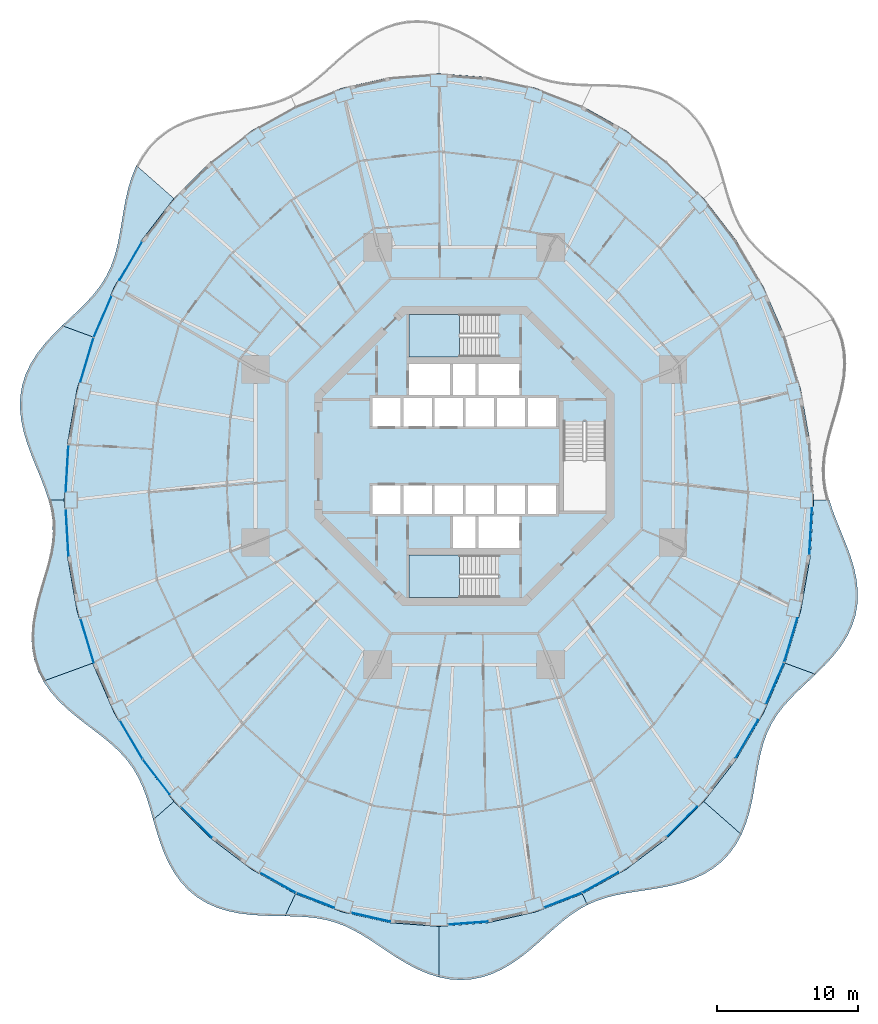
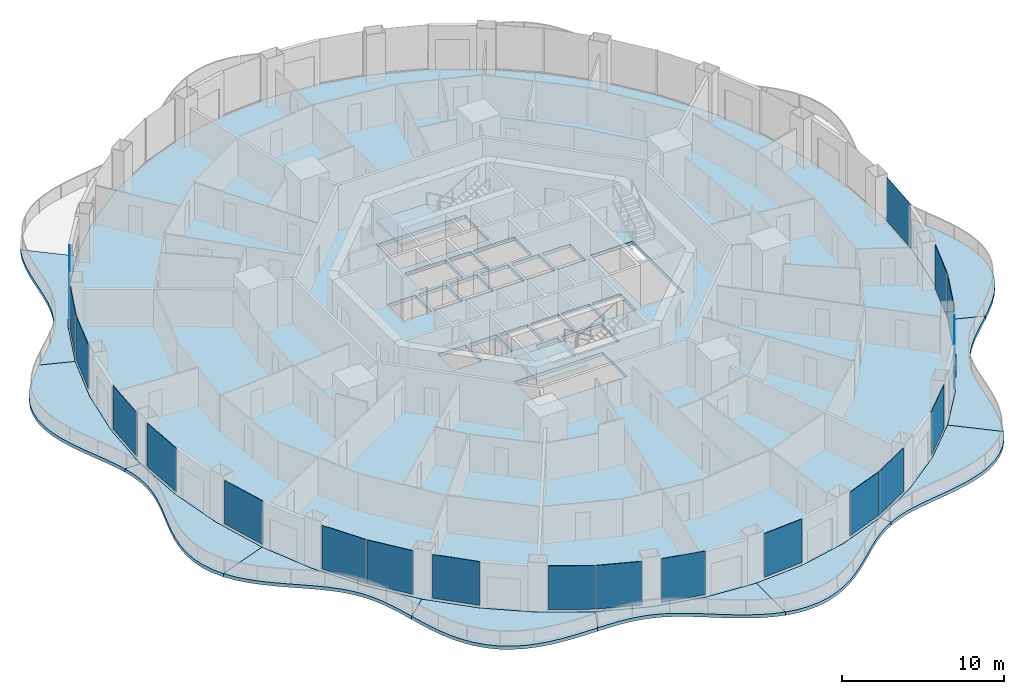
# One storey, part 11 of 21: 20 plates, 13 slabs, 22 elements without a shape of their own.
"""IFC4 building model written with IfcOpenShell, lengths in metres."""

from ifc_helpers import new_model, si_unit, direction, frame, origin, origin_2d, place, context, subcontext, project, spatial, polyline, rectangle, outline, extrude, material, layer, layer_set, type_object, element, aggregate, save


model = new_model("IFC4")

# Units and contexts
model_context = context("Model", 3, precision=1e-05, world=origin(), true_north=direction((0.0, 1.0)))
body_context = subcontext(model_context, "Body", "Model", "MODEL_VIEW")
ifc_project = project(units=[si_unit("LENGTHUNIT", "METRE"), si_unit("AREAUNIT", "SQUARE_METRE"), si_unit("VOLUMEUNIT", "CUBIC_METRE"), si_unit("PLANEANGLEUNIT", "RADIAN"), si_unit("MASSUNIT", "GRAM", prefix="KILO")], contexts=[model_context])

# Site, building, storey
site_placement = place(None, origin())
site = spatial("IfcSite", under=ifc_project, at=site_placement, CompositionType="ELEMENT")
building_placement = place(site_placement, origin())
building = spatial("IfcBuilding", under=site, at=building_placement, Name="Nagisa Residences", CompositionType="ELEMENT")
storey_placement = place(building_placement, frame((0.0, 0.0, 134.39990234375)))
storey = spatial("IfcBuildingStorey", under=building, at=storey_placement, Name="L33", CompositionType="ELEMENT", Elevation=134.39990234375)

# Slabs
ifc_material_1 = material(Name="Concrete C40/50", Category="concrete")
ifc_layer_1 = layer(ifc_material_1, 0.25)
ifc_layer_set_1 = layer_set([ifc_layer_1], Name="BALCONY SLAB 250")
slab_type_1 = type_object("IfcSlabType", Name="BALCONY SLAB 250", PredefinedType="FLOOR", material=ifc_layer_set_1)
slab_1_placement = place(storey_placement, frame((0.0, 0.0, -0.25)))
element("IfcSlab", 1, at=slab_1_placement, inside=storey, type_object=slab_type_1, Name="slab:L33:bal06", PredefinedType="FLOOR", context=body_context, shape_type="SweptSolid", body=[
    extrude(outline(polyline([(-23.2216796875, 20.569580078125), (-23.5400390625, 19.791015625), (-23.789306640625, 18.97412109375), (-23.98291015625, 18.135498046875), (-24.13818359375, 17.291015625), (-24.27490234375, 16.45556640625), (-24.413330078125, 15.64208984375), (-24.57275390625, 14.860107421875), (-24.771484375, 14.115966796875), (-25.02392578125, 13.412841796875), (-25.340087890625, 12.74951171875), (-25.72509765625, 12.121826171875), (-26.178466796875, 11.52294921875), (-26.694091796875, 10.944091796875), (-27.26025390625, 10.375), (-27.861083984375, 9.804931640625), (-28.4765625, 9.22412109375), (-26.315185546875, 8.4375), (-24.780029296875, 11.979736328125), (-22.8515625, 15.263916015625), (-20.56298828125, 18.2333984375), (-23.2216796875, 20.569580078125)])), origin(), (0.0, 0.0, 1.0), 0.25),
])
slab_2_placement = place(storey_placement, frame((0.0, 0.0, -0.25)))
element("IfcSlab", 2, at=slab_2_placement, inside=storey, type_object=slab_type_1, Name="slab:L33:bal07", PredefinedType="FLOOR", context=body_context, shape_type="SweptSolid", body=[
    extrude(outline(polyline([(-28.4765625, 9.22412109375), (-29.10400390625, 8.604248046875), (-29.6982421875, 7.95556640625), (-30.235107421875, 7.2734375), (-30.692626953125, 6.555419921875), (-31.05322265625, 5.802734375), (-31.30419921875, 5.0185546875), (-31.43994140625, 4.208740234375), (-31.460693359375, 3.380126953125), (-31.374755859375, 2.541015625), (-31.19580078125, 1.69921875), (-30.943359375, 0.862060546875), (-30.640625, 0.03564453125), (-30.313232421875, -0.776611328125), (-29.988037109375, -1.572021484375), (-29.690185546875, -2.3515625), (-29.44140625, -3.11767578125), (-28.3349609375, -3.11767578125), (-28.10791015625, 0.823486328125), (-27.430908203125, 4.697265625), (-26.315185546875, 8.4375), (-28.4765625, 9.22412109375)])), origin(), (0.0, 0.0, 1.0), 0.25),
])
slab_3_placement = place(storey_placement, frame((0.0, 0.0, -0.25)))
element("IfcSlab", 3, at=slab_3_placement, inside=storey, type_object=slab_type_1, Name="slab:L33:bal08", PredefinedType="FLOOR", context=body_context, shape_type="SweptSolid", body=[
    extrude(outline(polyline([(-29.44140625, -3.11767578125), (-29.259765625, -3.87451171875), (-29.15673828125, -4.627685546875), (-29.1376953125, -5.383056640625), (-29.20068359375, -6.14697265625), (-29.33740234375, -6.92431640625), (-29.532470703125, -7.718994140625), (-29.76611328125, -8.5322265625), (-30.0146484375, -9.364013671875), (-30.252197265625, -10.210693359375), (-30.45263671875, -11.0673828125), (-30.591796875, -11.92626953125), (-30.648193359375, -12.779052734375), (-30.605712890625, -13.615966796875), (-30.45361328125, -14.42822265625), (-30.188232421875, -15.206787109375), (-29.81201171875, -15.94580078125), (-26.315185546875, -14.6728515625), (-27.430908203125, -10.9326171875), (-28.10791015625, -7.058837890625), (-28.3349609375, -3.11767578125), (-29.44140625, -3.11767578125)])), origin(), (0.0, 0.0, 1.0), 0.25),
])
slab_4_placement = place(storey_placement, frame((0.0, 0.0, -0.25)))
element("IfcSlab", 4, at=slab_4_placement, inside=storey, type_object=slab_type_1, Name="slab:L33:bal09", PredefinedType="FLOOR", context=body_context, shape_type="SweptSolid", body=[
    extrude(outline(polyline([(-29.81201171875, -15.94580078125), (-29.3505859375, -16.619873046875), (-28.807373046875, -17.251953125), (-28.2001953125, -17.84375), (-27.54931640625, -18.39990234375), (-26.87744140625, -18.928466796875), (-26.205810546875, -19.438720703125), (-25.555419921875, -19.942626953125), (-24.943603515625, -20.451904296875), (-24.38427734375, -20.979248046875), (-23.88623046875, -21.535400390625), (-23.452880859375, -22.12939453125), (-23.082275390625, -22.767333984375), (-22.767822265625, -23.452392578125), (-22.497314453125, -24.1826171875), (-22.256103515625, -24.953125), (-22.0263671875, -25.754638671875), (-20.56298828125, -24.46875), (-22.8515625, -21.499267578125), (-24.780029296875, -18.215087890625), (-26.315185546875, -14.6728515625), (-29.81201171875, -15.94580078125)])), origin(), (0.0, 0.0, 1.0), 0.25),
])
slab_5_placement = place(storey_placement, frame((0.0, 0.0, -0.25)))
element("IfcSlab", 5, at=slab_5_placement, inside=storey, type_object=slab_type_1, Name="slab:L33:bal10", PredefinedType="FLOOR", context=body_context, shape_type="SweptSolid", body=[
    extrude(outline(polyline([(-22.0263671875, -25.754638671875), (-21.800537109375, -26.535400390625), (-21.552001953125, -27.31884765625), (-21.265380859375, -28.09033203125), (-20.928466796875, -28.83349609375), (-20.53076171875, -29.532958984375), (-20.066162109375, -30.1748046875), (-19.5322265625, -30.74658203125), (-18.9296875, -31.239501953125), (-18.263427734375, -31.6484375), (-17.54150390625, -31.972412109375), (-16.7744140625, -32.21435546875), (-15.97412109375, -32.382080078125), (-15.15380859375, -32.487060546875), (-14.325927734375, -32.5439453125), (-13.5029296875, -32.570068359375), (-12.6943359375, -32.583740234375), (-11.95458984375, -31.01416015625), (-15.0673828125, -29.267333984375), (-17.953369140625, -27.072998046875), (-20.56298828125, -24.46875), (-22.0263671875, -25.754638671875)])), origin(), (0.0, 0.0, 1.0), 0.25),
])
slab_6_placement = place(storey_placement, frame((0.0, 0.0, -0.25)))
element("IfcSlab", 6, at=slab_6_placement, inside=storey, type_object=slab_type_1, Name="slab:L33:bal11", PredefinedType="FLOOR", context=body_context, shape_type="SweptSolid", body=[
    extrude(outline(polyline([(-12.6943359375, -32.583740234375), (-11.93603515625, -32.602783203125), (-11.20263671875, -32.6435546875), (-10.496337890625, -32.719970703125), (-9.816162109375, -32.84326171875), (-9.1591796875, -33.021240234375), (-8.5205078125, -33.257568359375), (-7.8935546875, -33.552001953125), (-7.271240234375, -33.89892578125), (-6.64599609375, -34.28955078125), (-6.01123046875, -34.710693359375), (-5.36083984375, -35.146728515625), (-4.69091796875, -35.579833984375), (-3.9990234375, -35.990478515625), (-3.284912109375, -36.360107421875), (-2.55078125, -36.670654296875), (-1.800048828125, -36.90625), (-1.800048828125, -33.312744140625), (-5.263427734375, -33.054443359375), (-8.667724609375, -32.283935546875), (-11.95458984375, -31.01416015625), (-12.6943359375, -32.583740234375)])), origin(), (0.0, 0.0, 1.0), 0.25),
])
slab_7_placement = place(storey_placement, frame((0.0, 0.0, -0.25)))
element("IfcSlab", 7, at=slab_7_placement, inside=storey, type_object=slab_type_1, Name="slab:L33:bal12", PredefinedType="FLOOR", context=body_context, shape_type="SweptSolid", body=[
    extrude(outline(polyline([(-1.800048828125, -36.90625), (-1.03857421875, -37.0546875), (-0.27294921875, -37.106689453125), (0.489501953125, -37.05859375), (1.2412109375, -36.91015625), (1.9755859375, -36.66650390625), (2.687255859375, -36.33642578125), (3.37255859375, -35.93310546875), (4.029296875, -35.471923828125), (4.657958984375, -34.97119140625), (5.26171875, -34.44921875), (5.844970703125, -33.924560546875), (6.414306640625, -33.415283203125), (6.977783203125, -32.93603515625), (7.5439453125, -32.499267578125), (8.12109375, -32.11376953125), (8.71728515625, -31.7841796875), (8.3544921875, -31.01416015625), (5.06787109375, -32.283935546875), (1.66357421875, -33.054443359375), (-1.800048828125, -33.312744140625), (-1.800048828125, -36.90625)])), origin(), (0.0, 0.0, 1.0), 0.25),
])
slab_8_placement = place(storey_placement, frame((0.0, 0.0, -0.25)))
element("IfcSlab", 8, at=slab_8_placement, inside=storey, type_object=slab_type_1, Name="slab:L33:bal13", PredefinedType="FLOOR", context=body_context, shape_type="SweptSolid", body=[
    extrude(outline(polyline([(8.71728515625, -31.7841796875), (9.363037109375, -31.50146484375), (10.041259765625, -31.27490234375), (10.754150390625, -31.09619140625), (11.5009765625, -30.95263671875), (12.277587890625, -30.829833984375), (13.076416015625, -30.710205078125), (13.88720703125, -30.5771484375), (14.697998046875, -30.4130859375), (15.494140625, -30.202880859375), (16.261962890625, -29.93359375), (16.98681640625, -29.595947265625), (17.65625, -29.183349609375), (18.260009765625, -28.6943359375), (18.79052734375, -28.13037109375), (19.244384765625, -27.497802734375), (19.62158203125, -26.80517578125), (16.963134765625, -24.46875), (14.353515625, -27.072998046875), (11.467529296875, -29.267333984375), (8.3544921875, -31.01416015625), (8.71728515625, -31.7841796875)])), origin(), (0.0, 0.0, 1.0), 0.25),
])
slab_9_placement = place(storey_placement, frame((0.0, 0.0, -0.25)))
element("IfcSlab", 9, at=slab_9_placement, inside=storey, type_object=slab_type_1, Name="slab:L33:bal14", PredefinedType="FLOOR", context=body_context, shape_type="SweptSolid", body=[
    extrude(outline(polyline([(19.62158203125, -26.80517578125), (19.940185546875, -26.0263671875), (20.189208984375, -25.20947265625), (20.3828125, -24.370849609375), (20.538330078125, -23.5263671875), (20.675048828125, -22.69091796875), (20.813232421875, -21.87744140625), (20.972900390625, -21.095458984375), (21.171630859375, -20.3515625), (21.423828125, -19.648193359375), (21.739990234375, -18.98486328125), (22.125, -18.357177734375), (22.578369140625, -17.75830078125), (23.093994140625, -17.179443359375), (23.66015625, -16.6103515625), (24.260986328125, -16.04052734375), (24.876708984375, -15.459716796875), (22.715087890625, -14.6728515625), (21.179931640625, -18.215087890625), (19.251708984375, -21.499267578125), (16.963134765625, -24.46875), (19.62158203125, -26.80517578125)])), origin(), (0.0, 0.0, 1.0), 0.25),
])
slab_10_placement = place(storey_placement, frame((0.0, 0.0, -0.25)))
element("IfcSlab", 10, at=slab_10_placement, inside=storey, type_object=slab_type_1, Name="slab:L33:bal15", PredefinedType="FLOOR", context=body_context, shape_type="SweptSolid", body=[
    extrude(outline(polyline([(24.876708984375, -15.459716796875), (25.50390625, -14.839599609375), (26.09814453125, -14.19091796875), (26.63525390625, -13.5087890625), (27.0927734375, -12.790771484375), (27.453125, -12.0380859375), (27.704345703125, -11.254150390625), (27.83984375, -10.444091796875), (27.86083984375, -9.61572265625), (27.77490234375, -8.7763671875), (27.595947265625, -7.9345703125), (27.34326171875, -7.097412109375), (27.04052734375, -6.27099609375), (26.71337890625, -5.458984375), (26.38818359375, -4.663330078125), (26.090087890625, -3.8837890625), (25.841552734375, -3.11767578125), (24.735107421875, -3.11767578125), (24.508056640625, -7.058837890625), (23.830810546875, -10.9326171875), (22.715087890625, -14.6728515625), (24.876708984375, -15.459716796875)])), origin(), (0.0, 0.0, 1.0), 0.25),
])

# Curtain wall, plate
ifc_material_2 = material(Name="Concrete-coloured aluminium curtain wall system", Category="concrete")
ifc_layer_2 = layer(ifc_material_2, 0.159912109375)
ifc_layer_set_2 = layer_set([ifc_layer_2], Name="CW1 CURTAIN WALL")
curtain_wall_type = type_object("IfcCurtainWallType", Name="CW1 CURTAIN WALL", PredefinedType="NOTDEFINED", material=ifc_layer_set_2)
curtain_wall_1_placement = place(storey_placement, origin())
curtain_wall_1 = element("IfcCurtainWall", 11, at=curtain_wall_1_placement, inside=storey, type_object=curtain_wall_type, Name="cw:CW1:L33:19", PredefinedType="NOTDEFINED")
ifc_material_3 = material(Name="Clear laminated glass", Category="glass")
ifc_layer_3 = layer(ifc_material_3, 0.028076171875)
ifc_layer_set_3 = layer_set([ifc_layer_3], Name="CW1 GLASS PANEL")
plate_type = type_object("IfcPlateType", Name="CW1 GLASS PANEL", PredefinedType="CURTAIN_PANEL", material=ifc_layer_set_3)
plate_1_placement = place(storey_placement, frame((-23.610107421875, 13.814208984375, 0.150146484375), z_axis=(0.0, 0.0, 1.0), x_axis=(-0.506348567002, -0.862328898214, 0.0)))
plate_1 = element("IfcPlate", 12, at=plate_1_placement, type_object=plate_type, Name="CW1 panel", PredefinedType="CURTAIN_PANEL", context=body_context, shape_type="SweptSolid", body=[
    extrude(rectangle(XDim=3.1484375, YDim=0.028076171875, at=origin_2d()), origin(), (0.0, 0.0, 1.0), 3.2900390625),
])
aggregate(curtain_wall_1, [plate_1])

curtain_wall_2_placement = place(storey_placement, origin())
curtain_wall_2 = element("IfcCurtainWall", 13, at=curtain_wall_2_placement, inside=storey, type_object=curtain_wall_type, Name="cw:CW1:L33:20", PredefinedType="NOTDEFINED")
plate_2_placement = place(storey_placement, frame((-25.60546875, 9.8740234375, 0.150146484375), z_axis=(0.0, 0.0, 1.0), x_axis=(-0.397635934147, -0.917543276295, 0.0)))
plate_2 = element("IfcPlate", 14, at=plate_2_placement, type_object=plate_type, Name="CW1 panel", PredefinedType="CURTAIN_PANEL", context=body_context, shape_type="SweptSolid", body=[
    extrude(rectangle(XDim=3.20068359375, YDim=0.028076171875, at=origin_2d()), origin(), (0.0, 0.0, 1.0), 3.2900390625),
])
aggregate(curtain_wall_2, [plate_2])

curtain_wall_3_placement = place(storey_placement, origin())
curtain_wall_3 = element("IfcCurtainWall", 15, at=curtain_wall_3_placement, inside=storey, type_object=curtain_wall_type, Name="cw:CW1:L33:21", PredefinedType="NOTDEFINED")
plate_3_placement = place(storey_placement, frame((-26.71923828125, 6.80322265625, 0.150146484375), z_axis=(0.0, 0.0, 1.0), x_axis=(-0.285860274038, -0.958271310082, 0.0)))
plate_3 = element("IfcPlate", 16, at=plate_3_placement, type_object=plate_type, Name="CW1 panel", PredefinedType="CURTAIN_PANEL", context=body_context, shape_type="SweptSolid", body=[
    extrude(rectangle(XDim=3.242919921875, YDim=0.028076171875, at=origin_2d()), origin(), (0.0, 0.0, 1.0), 3.2900390625),
])
aggregate(curtain_wall_3, [plate_3])

curtain_wall_4_placement = place(storey_placement, origin())
curtain_wall_4 = element("IfcCurtainWall", 17, at=curtain_wall_4_placement, inside=storey, type_object=curtain_wall_type, Name="cw:CW1:L33:23", PredefinedType="NOTDEFINED")
plate_4_placement = place(storey_placement, frame((-28.126220703125, -0.882080078125, 0.150146484375), z_axis=(0.0, 0.0, 1.0), x_axis=(-0.057503492216, -0.998345305184, 0.0)))
plate_4 = element("IfcPlate", 18, at=plate_4_placement, type_object=plate_type, Name="CW1 panel", PredefinedType="CURTAIN_PANEL", context=body_context, shape_type="SweptSolid", body=[
    extrude(rectangle(XDim=3.287841796875, YDim=0.028076171875, at=origin_2d()), origin(), (0.0, 0.0, 1.0), 3.2900390625),
])
aggregate(curtain_wall_4, [plate_4])

curtain_wall_5_placement = place(storey_placement, origin())
curtain_wall_5 = element("IfcCurtainWall", 19, at=curtain_wall_5_placement, inside=storey, type_object=curtain_wall_type, Name="cw:CW1:L33:24", PredefinedType="NOTDEFINED")
plate_5_placement = place(storey_placement, frame((-28.12255859375, -5.4130859375, 0.150146484375), z_axis=(0.0, 0.0, 1.0), x_axis=(0.057503492216, -0.998345305184, 0.0)))
plate_5 = element("IfcPlate", 20, at=plate_5_placement, type_object=plate_type, Name="CW1 panel", PredefinedType="CURTAIN_PANEL", context=body_context, shape_type="SweptSolid", body=[
    extrude(rectangle(XDim=3.287841796875, YDim=0.028076171875, at=origin_2d()), origin(), (0.0, 0.0, 1.0), 3.2900390625),
])
aggregate(curtain_wall_5, [plate_5])

curtain_wall_6_placement = place(storey_placement, origin())
curtain_wall_6 = element("IfcCurtainWall", 21, at=curtain_wall_6_placement, inside=storey, type_object=curtain_wall_type, Name="cw:CW1:L33:26", PredefinedType="NOTDEFINED")
plate_6_placement = place(storey_placement, frame((-26.701904296875, -13.09619140625, 0.150146484375), z_axis=(0.0, 0.0, 1.0), x_axis=(0.285860274038, -0.958271310082, 0.0)))
plate_6 = element("IfcPlate", 22, at=plate_6_placement, type_object=plate_type, Name="CW1 panel", PredefinedType="CURTAIN_PANEL", context=body_context, shape_type="SweptSolid", body=[
    extrude(rectangle(XDim=3.242919921875, YDim=0.028076171875, at=origin_2d()), origin(), (0.0, 0.0, 1.0), 3.2900390625),
])
aggregate(curtain_wall_6, [plate_6])

curtain_wall_7_placement = place(storey_placement, origin())
curtain_wall_7 = element("IfcCurtainWall", 23, at=curtain_wall_7_placement, inside=storey, type_object=curtain_wall_type, Name="cw:CW1:L33:28", PredefinedType="NOTDEFINED")
plate_7_placement = place(storey_placement, frame((-23.579833984375, -20.101318359375, 0.150146484375), z_axis=(0.0, 0.0, 1.0), x_axis=(0.506348567002, -0.862328898214, 0.0)))
plate_7 = element("IfcPlate", 24, at=plate_7_placement, type_object=plate_type, Name="CW1 panel", PredefinedType="CURTAIN_PANEL", context=body_context, shape_type="SweptSolid", body=[
    extrude(rectangle(XDim=3.1484375, YDim=0.028076171875, at=origin_2d()), origin(), (0.0, 0.0, 1.0), 3.2900390625),
])
aggregate(curtain_wall_7, [plate_7])

curtain_wall_8_placement = place(storey_placement, origin())
curtain_wall_8 = element("IfcCurtainWall", 25, at=curtain_wall_8_placement, inside=storey, type_object=curtain_wall_type, Name="cw:CW1:L33:29", PredefinedType="NOTDEFINED")
plate_8_placement = place(storey_placement, frame((-21.808837890625, -22.721435546875, 0.150146484375), z_axis=(0.0, 0.0, 1.0), x_axis=(0.610429828235, -0.792070340816, 0.0)))
plate_8 = element("IfcPlate", 26, at=plate_8_placement, type_object=plate_type, Name="CW1 panel", PredefinedType="CURTAIN_PANEL", context=body_context, shape_type="SweptSolid", body=[
    extrude(rectangle(XDim=3.089111328125, YDim=0.028076171875, at=origin_2d()), origin(), (0.0, 0.0, 1.0), 3.2900390625),
])
aggregate(curtain_wall_8, [plate_8])

curtain_wall_9_placement = place(storey_placement, origin())
curtain_wall_9 = element("IfcCurtainWall", 27, at=curtain_wall_9_placement, inside=storey, type_object=curtain_wall_type, Name="cw:CW1:L33:30", PredefinedType="NOTDEFINED")
plate_9_placement = place(storey_placement, frame((-18.96826171875, -25.947265625, 0.150146484375), z_axis=(0.0, 0.0, 1.0), x_axis=(0.707835924016, -0.706376885714, 0.0)))
plate_9 = element("IfcPlate", 28, at=plate_9_placement, type_object=plate_type, Name="CW1 panel", PredefinedType="CURTAIN_PANEL", context=body_context, shape_type="SweptSolid", body=[
    extrude(rectangle(XDim=3.026611328125, YDim=0.028076171875, at=origin_2d()), origin(), (0.0, 0.0, 1.0), 3.2900390625),
])
aggregate(curtain_wall_9, [plate_9])

curtain_wall_10_placement = place(storey_placement, origin())
curtain_wall_10 = element("IfcCurtainWall", 29, at=curtain_wall_10_placement, inside=storey, type_object=curtain_wall_type, Name="cw:CW1:L33:32", PredefinedType="NOTDEFINED")
plate_10_placement = place(storey_placement, frame((-13.18408203125, -30.232421875, 0.150146484375), z_axis=(0.0, 0.0, 1.0), x_axis=(0.872072377523, -0.489376918501, 0.0)))
plate_10 = element("IfcPlate", 30, at=plate_10_placement, type_object=plate_type, Name="CW1 panel", PredefinedType="CURTAIN_PANEL", context=body_context, shape_type="SweptSolid", body=[
    extrude(rectangle(XDim=2.90966796875, YDim=0.028076171875, at=origin_2d()), origin(), (0.0, 0.0, 1.0), 3.2900390625),
])
aggregate(curtain_wall_10, [plate_10])

curtain_wall_11_placement = place(storey_placement, origin())
curtain_wall_11 = element("IfcCurtainWall", 31, at=curtain_wall_11_placement, inside=storey, type_object=curtain_wall_type, Name="cw:CW1:L33:33", PredefinedType="NOTDEFINED")
plate_11_placement = place(storey_placement, frame((-10.5341796875, -31.47705078125, 0.150146484375), z_axis=(0.0, 0.0, 1.0), x_axis=(0.932825759707, -0.360327770268, 0.0)))
plate_11 = element("IfcPlate", 32, at=plate_11_placement, type_object=plate_type, Name="CW1 panel", PredefinedType="CURTAIN_PANEL", context=body_context, shape_type="SweptSolid", body=[
    extrude(rectangle(XDim=2.863525390625, YDim=0.028076171875, at=origin_2d()), origin(), (0.0, 0.0, 1.0), 3.2900390625),
])
aggregate(curtain_wall_11, [plate_11])

curtain_wall_12_placement = place(storey_placement, origin())
curtain_wall_12 = element("IfcCurtainWall", 33, at=curtain_wall_12_placement, inside=storey, type_object=curtain_wall_type, Name="cw:CW1:L33:34", PredefinedType="NOTDEFINED")
plate_12_placement = place(storey_placement, frame((-6.626220703125, -32.663818359375, 0.150146484375), z_axis=(0.0, 0.0, 1.0), x_axis=(0.975327274089, -0.2207639201, 0.0)))
plate_12 = element("IfcPlate", 34, at=plate_12_placement, type_object=plate_type, Name="CW1 panel", PredefinedType="CURTAIN_PANEL", context=body_context, shape_type="SweptSolid", body=[
    extrude(rectangle(XDim=2.830322265625, YDim=0.028076171875, at=origin_2d()), origin(), (0.0, 0.0, 1.0), 3.2900390625),
])
aggregate(curtain_wall_12, [plate_12])

curtain_wall_13_placement = place(storey_placement, origin())
curtain_wall_13 = element("IfcCurtainWall", 35, at=curtain_wall_13_placement, inside=storey, type_object=curtain_wall_type, Name="cw:CW1:L33:36", PredefinedType="NOTDEFINED")
plate_13_placement = place(storey_placement, frame((0.2548828125, -33.0791015625, 0.150146484375), z_axis=(0.0, 0.0, 1.0), x_axis=(0.997230168512, 0.074377355493, 0.0)))
plate_13 = element("IfcPlate", 36, at=plate_13_placement, type_object=plate_type, Name="CW1 panel", PredefinedType="CURTAIN_PANEL", context=body_context, shape_type="SweptSolid", body=[
    extrude(rectangle(XDim=2.813232421875, YDim=0.028076171875, at=origin_2d()), origin(), (0.0, 0.0, 1.0), 3.2900390625),
])
aggregate(curtain_wall_13, [plate_13])

curtain_wall_14_placement = place(storey_placement, origin())
curtain_wall_14 = element("IfcCurtainWall", 37, at=curtain_wall_14_placement, inside=storey, type_object=curtain_wall_type, Name="cw:CW1:L33:38", PredefinedType="NOTDEFINED")
plate_14_placement = place(storey_placement, frame((6.990234375, -31.45556640625, 0.150146484375), z_axis=(0.0, 0.0, 1.0), x_axis=(0.932825759707, 0.360327770268, 0.0)))
plate_14 = element("IfcPlate", 38, at=plate_14_placement, type_object=plate_type, Name="CW1 panel", PredefinedType="CURTAIN_PANEL", context=body_context, shape_type="SweptSolid", body=[
    extrude(rectangle(XDim=2.863525390625, YDim=0.028076171875, at=origin_2d()), origin(), (0.0, 0.0, 1.0), 3.2900390625),
])
aggregate(curtain_wall_14, [plate_14])

curtain_wall_15_placement = place(storey_placement, origin())
curtain_wall_15 = element("IfcCurtainWall", 39, at=curtain_wall_15_placement, inside=storey, type_object=curtain_wall_type, Name="cw:CW1:L33:39", PredefinedType="NOTDEFINED")
plate_15_placement = place(storey_placement, frame((9.636474609375, -30.203125, 0.150146484375), z_axis=(0.0, 0.0, 1.0), x_axis=(0.872072377523, 0.489376918501, 0.0)))
plate_15 = element("IfcPlate", 40, at=plate_15_placement, type_object=plate_type, Name="CW1 panel", PredefinedType="CURTAIN_PANEL", context=body_context, shape_type="SweptSolid", body=[
    extrude(rectangle(XDim=2.90966796875, YDim=0.028076171875, at=origin_2d()), origin(), (0.0, 0.0, 1.0), 3.2900390625),
])
aggregate(curtain_wall_15, [plate_15])

curtain_wall_16_placement = place(storey_placement, origin())
curtain_wall_16 = element("IfcCurtainWall", 41, at=curtain_wall_16_placement, inside=storey, type_object=curtain_wall_type, Name="cw:CW1:L33:41", PredefinedType="NOTDEFINED")
plate_16_placement = place(storey_placement, frame((15.41064453125, -25.905029296875, 0.150146484375), z_axis=(0.0, 0.0, 1.0), x_axis=(0.707835924016, 0.706376885714, 0.0)))
plate_16 = element("IfcPlate", 42, at=plate_16_placement, type_object=plate_type, Name="CW1 panel", PredefinedType="CURTAIN_PANEL", context=body_context, shape_type="SweptSolid", body=[
    extrude(rectangle(XDim=3.026611328125, YDim=0.028076171875, at=origin_2d()), origin(), (0.0, 0.0, 1.0), 3.2900390625),
])
aggregate(curtain_wall_16, [plate_16])

curtain_wall_17_placement = place(storey_placement, origin())
curtain_wall_17 = element("IfcCurtainWall", 43, at=curtain_wall_17_placement, inside=storey, type_object=curtain_wall_type, Name="cw:CW1:L33:43", PredefinedType="NOTDEFINED")
plate_17_placement = place(storey_placement, frame((20.010009765625, -20.049560546875, 0.150146484375), z_axis=(0.0, 0.0, 1.0), x_axis=(0.506348567002, 0.862328898214, 0.0)))
plate_17 = element("IfcPlate", 44, at=plate_17_placement, type_object=plate_type, Name="CW1 panel", PredefinedType="CURTAIN_PANEL", context=body_context, shape_type="SweptSolid", body=[
    extrude(rectangle(XDim=3.1484375, YDim=0.028076171875, at=origin_2d()), origin(), (0.0, 0.0, 1.0), 3.2900390625),
])
aggregate(curtain_wall_17, [plate_17])

curtain_wall_18_placement = place(storey_placement, origin())
curtain_wall_18 = element("IfcCurtainWall", 45, at=curtain_wall_18_placement, inside=storey, type_object=curtain_wall_type, Name="cw:CW1:L33:44", PredefinedType="NOTDEFINED")
plate_18_placement = place(storey_placement, frame((22.00537109375, -16.109375, 0.150146484375), z_axis=(0.0, 0.0, 1.0), x_axis=(0.397635934147, 0.917543276295, 0.0)))
plate_18 = element("IfcPlate", 46, at=plate_18_placement, type_object=plate_type, Name="CW1 panel", PredefinedType="CURTAIN_PANEL", context=body_context, shape_type="SweptSolid", body=[
    extrude(rectangle(XDim=3.20068359375, YDim=0.028076171875, at=origin_2d()), origin(), (0.0, 0.0, 1.0), 3.2900390625),
])
aggregate(curtain_wall_18, [plate_18])

curtain_wall_19_placement = place(storey_placement, origin())
curtain_wall_19 = element("IfcCurtainWall", 47, at=curtain_wall_19_placement, inside=storey, type_object=curtain_wall_type, Name="cw:CW1:L33:45", PredefinedType="NOTDEFINED")
plate_19_placement = place(storey_placement, frame((23.119140625, -13.03857421875, 0.150146484375), z_axis=(0.0, 0.0, 1.0), x_axis=(0.285860274038, 0.958271310082, 0.0)))
plate_19 = element("IfcPlate", 48, at=plate_19_placement, type_object=plate_type, Name="CW1 panel", PredefinedType="CURTAIN_PANEL", context=body_context, shape_type="SweptSolid", body=[
    extrude(rectangle(XDim=3.242919921875, YDim=0.028076171875, at=origin_2d()), origin(), (0.0, 0.0, 1.0), 3.2900390625),
])
aggregate(curtain_wall_19, [plate_19])

curtain_wall_20_placement = place(storey_placement, origin())
curtain_wall_20 = element("IfcCurtainWall", 49, at=curtain_wall_20_placement, inside=storey, type_object=curtain_wall_type, Name="cw:CW1:L33:47", PredefinedType="NOTDEFINED")
plate_20_placement = place(storey_placement, frame((24.526123046875, -5.353271484375, 0.150146484375), z_axis=(0.0, 0.0, 1.0), x_axis=(0.057503492216, 0.998345305184, 0.0)))
plate_20 = element("IfcPlate", 50, at=plate_20_placement, type_object=plate_type, Name="CW1 panel", PredefinedType="CURTAIN_PANEL", context=body_context, shape_type="SweptSolid", body=[
    extrude(rectangle(XDim=3.287841796875, YDim=0.028076171875, at=origin_2d()), origin(), (0.0, 0.0, 1.0), 3.2900390625),
])
aggregate(curtain_wall_20, [plate_20])

# Slab
ifc_material_4 = material(Name="Concrete C40", Category="concrete")
ifc_layer_4 = layer(ifc_material_4, 0.260009765625)
ifc_layer_set_4 = layer_set([ifc_layer_4], Name="Floor slab 260")
slab_type_2 = type_object("IfcSlabType", Name="Floor slab 260", PredefinedType="FLOOR", material=ifc_layer_set_4)
slab_11_placement = place(storey_placement, frame((0.0, 0.0, -0.260009765625)))
element("IfcSlab", 51, at=slab_11_placement, inside=storey, type_object=slab_type_2, Name="slab:L33:floor", PredefinedType="FLOOR", context=body_context, shape_type="SweptSolid", body=[
    extrude(outline(polyline([(24.735107421875, -3.11767578125), (24.508056640625, 0.823486328125), (23.830810546875, 4.697265625), (22.715087890625, 8.4375), (21.179931640625, 11.979736328125), (19.251708984375, 15.263916015625), (16.963134765625, 18.2333984375), (14.353515625, 20.837646484375), (11.467529296875, 23.031982421875), (8.3544921875, 24.77880859375), (5.06787109375, 26.04833984375), (1.66357421875, 26.819091796875), (-1.800048828125, 27.077392578125), (-5.263427734375, 26.819091796875), (-8.667724609375, 26.04833984375), (-11.95458984375, 24.77880859375), (-15.0673828125, 23.031982421875), (-17.953369140625, 20.837646484375), (-20.56298828125, 18.2333984375), (-22.8515625, 15.263916015625), (-24.780029296875, 11.979736328125), (-26.315185546875, 8.4375), (-27.430908203125, 4.697265625), (-28.10791015625, 0.823486328125), (-28.3349609375, -3.11767578125), (-28.10791015625, -7.058837890625), (-27.430908203125, -10.9326171875), (-26.315185546875, -14.6728515625), (-24.780029296875, -18.215087890625), (-22.8515625, -21.499267578125), (-20.56298828125, -24.46875), (-17.953369140625, -27.072998046875), (-15.0673828125, -29.267333984375), (-11.95458984375, -31.01416015625), (-8.667724609375, -32.283935546875), (-5.263427734375, -33.054443359375), (-1.800048828125, -33.312744140625), (1.66357421875, -33.054443359375), (5.06787109375, -32.283935546875), (8.3544921875, -31.01416015625), (11.467529296875, -29.267333984375), (14.353515625, -27.072998046875), (16.963134765625, -24.46875), (19.251708984375, -21.499267578125), (21.179931640625, -18.215087890625), (22.715087890625, -14.6728515625), (23.830810546875, -10.9326171875), (24.508056640625, -7.058837890625), (24.735107421875, -3.11767578125)]), holes=[polyline([(-4.5, 2.10009765625), (-4.5, 4.10009765625), (-6.5, 4.10009765625), (-6.5, 2.10009765625), (-4.5, 2.10009765625)]), polyline([(-2.300048828125, 2.10009765625), (-2.300048828125, 4.10009765625), (-4.300048828125, 4.10009765625), (-4.300048828125, 2.10009765625), (-2.300048828125, 2.10009765625)]), polyline([(-0.10009765625, 2.10009765625), (-0.10009765625, 4.10009765625), (-2.10009765625, 4.10009765625), (-2.10009765625, 2.10009765625), (-0.10009765625, 2.10009765625)]), polyline([(2.10009765625, 2.10009765625), (2.10009765625, 4.10009765625), (0.10009765625, 4.10009765625), (0.10009765625, 2.10009765625), (2.10009765625, 2.10009765625)]), polyline([(4.300048828125, 2.10009765625), (4.300048828125, 4.10009765625), (2.300048828125, 4.10009765625), (2.300048828125, 2.10009765625), (4.300048828125, 2.10009765625)]), polyline([(6.5, 2.10009765625), (6.5, 4.10009765625), (4.5, 4.10009765625), (4.5, 2.10009765625), (6.5, 2.10009765625)]), polyline([(-4.5, -4.10009765625), (-4.5, -2.10009765625), (-6.5, -2.10009765625), (-6.5, -4.10009765625), (-4.5, -4.10009765625)]), polyline([(-2.300048828125, -4.10009765625), (-2.300048828125, -2.10009765625), (-4.300048828125, -2.10009765625), (-4.300048828125, -4.10009765625), (-2.300048828125, -4.10009765625)]), polyline([(-0.10009765625, -4.10009765625), (-0.10009765625, -2.10009765625), (-2.10009765625, -2.10009765625), (-2.10009765625, -4.10009765625), (-0.10009765625, -4.10009765625)]), polyline([(2.10009765625, -4.10009765625), (2.10009765625, -2.10009765625), (0.10009765625, -2.10009765625), (0.10009765625, -4.10009765625), (2.10009765625, -4.10009765625)]), polyline([(4.300048828125, -4.10009765625), (4.300048828125, -2.10009765625), (2.300048828125, -2.10009765625), (2.300048828125, -4.10009765625), (4.300048828125, -4.10009765625)]), polyline([(6.5, -4.10009765625), (6.5, -2.10009765625), (4.5, -2.10009765625), (4.5, -4.10009765625), (6.5, -4.10009765625)]), polyline([(3.89990234375, 4.300048828125), (3.89990234375, 6.5), (1.0, 6.5), (1.0, 4.300048828125), (3.89990234375, 4.300048828125)]), polyline([(3.89990234375, -6.5), (3.89990234375, -4.300048828125), (1.0, -4.300048828125), (1.0, -6.5), (3.89990234375, -6.5)]), polyline([(-1.0, 4.300048828125), (-1.0, 6.5), (-3.89990234375, 6.5), (-3.89990234375, 4.300048828125), (-1.0, 4.300048828125)]), polyline([(0.800048828125, 4.300048828125), (0.800048828125, 6.5), (-0.800048828125, 6.5), (-0.800048828125, 4.300048828125), (0.800048828125, 4.300048828125)]), polyline([(0.800048828125, -6.5), (0.800048828125, -4.300048828125), (-0.800048828125, -4.300048828125), (-0.800048828125, -6.5), (0.800048828125, -6.5)]), polyline([(10.024658203125, -3.89990234375), (7.024658203125, -3.89990234375), (7.024658203125, 2.425048828125), (10.024658203125, 2.425048828125), (10.024658203125, -3.89990234375)]), polyline([(-3.89990234375, 7.024658203125), (-3.89990234375, 10.024658203125), (2.425048828125, 10.024658203125), (2.425048828125, 7.024658203125), (-3.89990234375, 7.024658203125)]), polyline([(-3.89990234375, -10.024658203125), (-3.89990234375, -7.024658203125), (2.425048828125, -7.024658203125), (2.425048828125, -10.024658203125), (-3.89990234375, -10.024658203125)])]), origin(), (0.0, 0.0, 1.0), 0.260009765625),
])

# Stair, slab
ifc_material_5 = material(Name="Concrete C60", Category="concrete")
stair_type = type_object("IfcStairType", Name="Exit stair", PredefinedType="HALF_TURN_STAIR", material=ifc_material_5)
stair_1_placement = place(storey_placement, origin())
stair_1 = element("IfcStair", 52, at=stair_1_placement, inside=storey, type_object=stair_type, Name="L33 Exit stair N", PredefinedType="HALF_TURN_STAIR")
ifc_material_6 = material(Name="Concrete C60", Category="concrete")
ifc_layer_5 = layer(ifc_material_6, 0.199951171875)
ifc_layer_set_5 = layer_set([ifc_layer_5], Name="Stair landing")
slab_type_3 = type_object("IfcSlabType", Name="Stair landing", PredefinedType="LANDING", material=ifc_layer_set_5)
slab_12_placement = place(storey_placement, frame((0.0, 0.0, 1.650146484375)))
slab_12 = element("IfcSlab", 53, at=slab_12_placement, type_object=slab_type_3, Name="ST-N landing 1", PredefinedType="LANDING", context=body_context, shape_type="SweptSolid", body=[
    extrude(outline(polyline([(-0.324951171875, 10.024658203125), (-3.89990234375, 10.024658203125), (-3.89990234375, 7.024658203125), (-0.324951171875, 7.024658203125), (-0.324951171875, 10.024658203125)])), origin(), (0.0, 0.0, 1.0), 0.199951171875),
])
aggregate(stair_1, [slab_12])

stair_2_placement = place(storey_placement, origin())
stair_2 = element("IfcStair", 54, at=stair_2_placement, inside=storey, type_object=stair_type, Name="L33 Exit stair S", PredefinedType="HALF_TURN_STAIR")
slab_13_placement = place(storey_placement, frame((0.0, 0.0, 1.650146484375)))
slab_13 = element("IfcSlab", 55, at=slab_13_placement, type_object=slab_type_3, Name="ST-S landing 1", PredefinedType="LANDING", context=body_context, shape_type="SweptSolid", body=[
    extrude(outline(polyline([(-0.324951171875, -7.024658203125), (-3.89990234375, -7.024658203125), (-3.89990234375, -10.024658203125), (-0.324951171875, -10.024658203125), (-0.324951171875, -7.024658203125)])), origin(), (0.0, 0.0, 1.0), 0.199951171875),
])
aggregate(stair_2, [slab_13])

save(model, "model.ifc")
